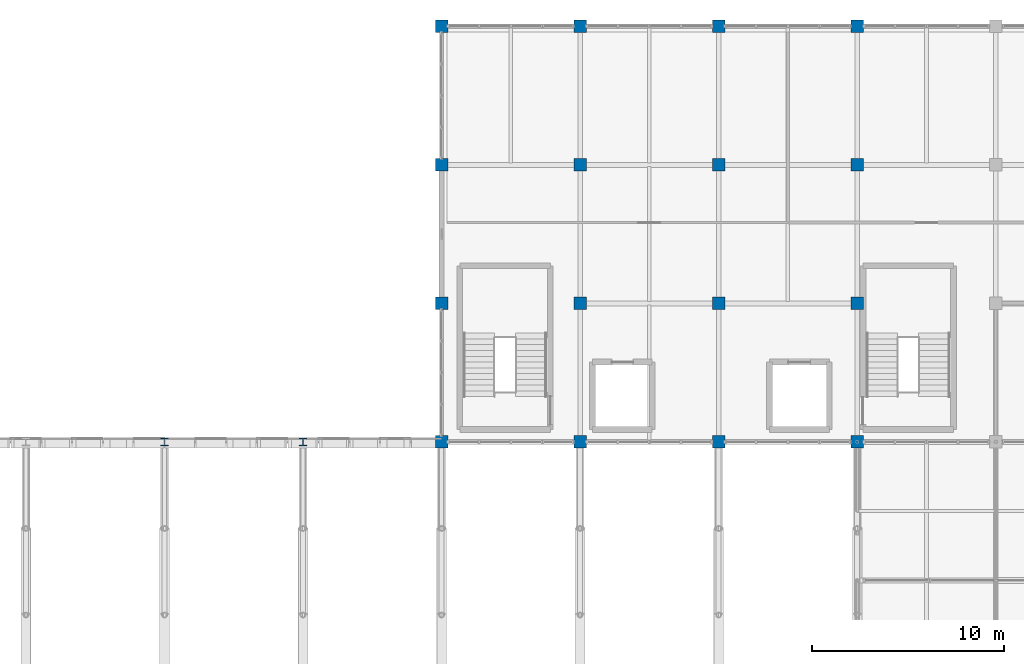
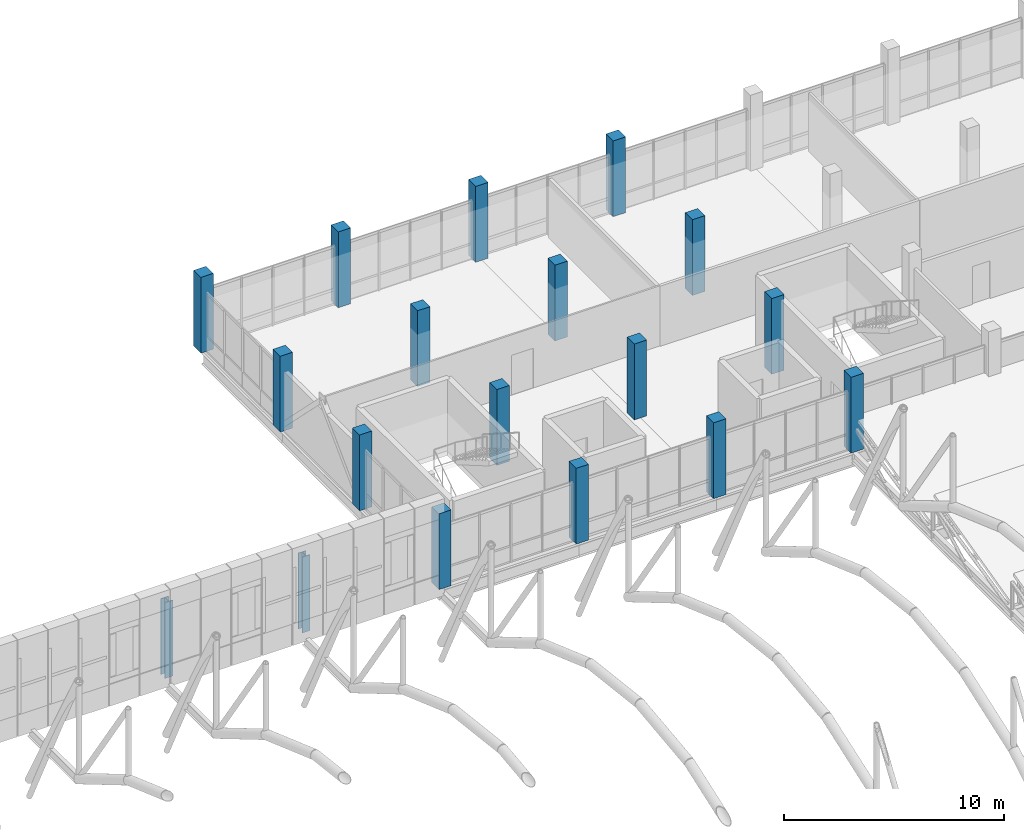
# One storey, part 7 of 144: 18 columns.
"""IFC4 building model written with IfcOpenShell, lengths in metres."""

import ifcopenshell
import ifcopenshell.guid

model = None  # the IFC model being written
_history = None  # IfcOwnerHistory: only IFC2X3 demands one
_inside = {}  # id of a spatial element -> (the spatial element, [elements in it])
_under = {}  # id of a project, library or spatial element -> (it, [spatial elements below it])
_declared = {}  # id of a project -> (the project, [libraries it declares])
_typed = {}  # id of a type object -> (the type object, [elements of that type])
_made_of = {}  # id of a material, layer set ... -> (it, [elements and type objects made of it])


def new_model(schema):
    """Start an empty IFC model of exactly this schema.

    Asked for "IFC4X3", IfcOpenShell would pick the latest addendum, in which some entities
    have other attributes; the version numbers below select the first issue.
    IFC2X3 requires an IfcOwnerHistory on every rooted entity: one is made here for all.
    """
    global model, _history
    if schema == "IFC4X3":
        model = ifcopenshell.file(schema_version=(4, 3, 0, 0))
    else:
        model = ifcopenshell.file(schema=schema)
    _inside.clear()
    _under.clear()
    _declared.clear()
    _typed.clear()
    _made_of.clear()
    _history = None
    if model.schema == "IFC2X3":
        org = make("IfcOrganization", Name="unknown")
        user = make(
            "IfcPersonAndOrganization",
            ThePerson=make("IfcPerson", FamilyName="unknown"),
            TheOrganization=org,
        )
        app = make(
            "IfcApplication",
            ApplicationDeveloper=org,
            Version="unknown",
            ApplicationFullName="unknown",
            ApplicationIdentifier="unknown",
        )
        _history = make(
            "IfcOwnerHistory",
            OwningUser=user,
            OwningApplication=app,
            ChangeAction="ADDED",
            CreationDate=0,
        )
    return model


def make(cls, **values):
    """One entity of the class cls with the attributes given. An attribute that is None is left unset."""
    return model.create_entity(
        cls, **{name: value for name, value in values.items() if value is not None}
    )


def rooted(cls, **values):
    """An entity with a GlobalId (a new one), such as an element, a storey or a relation."""
    return make(cls, GlobalId=ifcopenshell.guid.new(), OwnerHistory=_history, **values)


def si_unit(unit_type, name, prefix=None):
    """IfcSIUnit, for example si_unit("LENGTHUNIT", "METRE", prefix="MILLI")."""
    return make("IfcSIUnit", UnitType=unit_type, Prefix=prefix, Name=name)


def assignment(units):
    """IfcUnitAssignment: the units of a project."""
    return None if units is None else make("IfcUnitAssignment", Units=units)


def point(xyz):
    """IfcCartesianPoint."""
    return None if xyz is None else make("IfcCartesianPoint", Coordinates=xyz)


def direction(xyz):
    """IfcDirection."""
    return None if xyz is None else make("IfcDirection", DirectionRatios=xyz)


def frame(location, z_axis=None, x_axis=None):
    """IfcAxis2Placement3D, a coordinate frame: its origin and axes. An axis left out is left unset."""
    return make(
        "IfcAxis2Placement3D",
        Location=point(location),
        Axis=direction(z_axis),
        RefDirection=direction(x_axis),
    )


def frame_2d(location, x_axis=None):
    """IfcAxis2Placement2D, a coordinate frame in the plane: its origin and x axis."""
    return make(
        "IfcAxis2Placement2D", Location=point(location), RefDirection=direction(x_axis)
    )


def origin():
    """The frame at (0, 0, 0) with its axes left unset."""
    return frame((0.0, 0.0, 0.0))


def origin_2d():
    """The frame at (0, 0) in the plane with its x axis left unset."""
    return frame_2d((0.0, 0.0))


def place(relative_to, where):
    """IfcLocalPlacement: puts the frame where relative to a parent placement (None: the world)."""
    return make(
        "IfcLocalPlacement", PlacementRelTo=relative_to, RelativePlacement=where
    )


def context(
    kind, dimensions, precision=None, world=None, true_north=None, identifier=None
):
    """IfcGeometricRepresentationContext, for example the 3D "Model" context."""
    return make(
        "IfcGeometricRepresentationContext",
        ContextIdentifier=identifier,
        ContextType=kind,
        CoordinateSpaceDimension=dimensions,
        Precision=precision,
        WorldCoordinateSystem=world,
        TrueNorth=true_north,
    )


def subcontext(parent, identifier, kind, view, scale=None):
    """IfcGeometricRepresentationSubContext, for example "Body" below "Model"."""
    return make(
        "IfcGeometricRepresentationSubContext",
        ContextIdentifier=identifier,
        ContextType=kind,
        ParentContext=parent,
        TargetScale=scale,
        TargetView=view,
    )


def project(units=None, contexts=None):
    """IfcProject with its units and contexts."""
    return rooted(
        "IfcProject",
        Name="project",
        RepresentationContexts=contexts,
        UnitsInContext=assignment(units),
    )


def spatial(cls, under=None, at=None, **own):
    """A site, building, storey or space (cls), placed at a placement, below another one or the project."""
    s = rooted(cls, ObjectPlacement=at, **own)
    if under is not None:
        _under.setdefault(under.id(), (under, []))[1].append(s)
    return s


def profile(cls, at=None, kind="AREA", **sizes):
    """A parametric profile (cls). Its sizes go by their IFC names, for example OverallWidth=200.0."""
    return make(cls, ProfileType=kind, Position=at, **sizes)


def rectangle(**sizes):
    """IfcRectangleProfileDef."""
    return profile("IfcRectangleProfileDef", **sizes)


def i_section(**sizes):
    """IfcIShapeProfileDef."""
    return profile("IfcIShapeProfileDef", **sizes)


def extrude(swept, where, along, depth):
    """IfcExtrudedAreaSolid: the profile swept, set in the frame where, extruded along a direction by depth."""
    return make(
        "IfcExtrudedAreaSolid",
        SweptArea=swept,
        Position=where,
        ExtrudedDirection=direction(along),
        Depth=depth,
    )


def shape(context_of_items, identifier, shape_type, items):
    """IfcShapeRepresentation: the items that make up one representation, for example the "Body"."""
    return make(
        "IfcShapeRepresentation",
        ContextOfItems=context_of_items,
        RepresentationIdentifier=identifier,
        RepresentationType=shape_type,
        Items=items,
    )


def material(Name=None, Category=None):
    """IfcMaterial."""
    return make("IfcMaterial", Name=Name, Category=Category)


def material_profile(
    of_material, cross_section, Name=None, Category=None, Priority=None
):
    """IfcMaterialProfile: a cross section and its material."""
    return make(
        "IfcMaterialProfile",
        Name=Name,
        Material=of_material,
        Profile=cross_section,
        Priority=Priority,
        Category=Category,
    )


def profile_set(profiles, Name=None, composite=None):
    """IfcMaterialProfileSet."""
    return make(
        "IfcMaterialProfileSet",
        Name=Name,
        MaterialProfiles=profiles,
        CompositeProfile=composite,
    )


def made_of(thing, what):
    """Note that an element or type object is made of a material, layer set ...; save() writes the relation."""
    if what is not None:
        _made_of.setdefault(what.id(), (what, []))[1].append(thing)
    return thing


def type_object(cls, material=None, **own):
    """A type object (cls), such as IfcWallType, which elements share."""
    return made_of(rooted(cls, **own), material)


def element(
    cls,
    number,
    at=None,
    inside=None,
    cuts=None,
    type_object=None,
    material=None,
    context=None,
    identifier="Body",
    shape_type=None,
    held_by="IfcProductDefinitionShape",
    body=None,
    shapes=None,
    **own,
):
    """One element of the class cls, such as IfcWall. Its Tag is "e" and its number.

    at: its placement. inside: the storey or other place that contains it. cuts: it is an
    opening in that element (IfcRelVoidsElement). A single representation is given by context,
    identifier, shape_type and body (its items); several are given by shapes. held_by: the class
    of the entity that holds the representations. save() writes the other relations.
    """
    e = rooted(cls, Tag="e%d" % number, ObjectPlacement=at, **own)
    if body is not None:
        shapes = [shape(context, identifier, shape_type, body)]
    if shapes is not None:
        e.Representation = make(held_by, Representations=shapes)
    if inside is not None:
        _inside.setdefault(inside.id(), (inside, []))[1].append(e)
    if cuts is not None:
        rooted(
            "IfcRelVoidsElement", RelatingBuildingElement=cuts, RelatedOpeningElement=e
        )
    if type_object is not None:
        _typed.setdefault(type_object.id(), (type_object, []))[1].append(e)
    return made_of(e, material)


def aggregate(whole, parts):
    """IfcRelAggregates: a whole, such as a stair, and the parts it consists of."""
    return rooted("IfcRelAggregates", RelatingObject=whole, RelatedObjects=parts)


def save(model, path):
    """Write the relations noted so far, then the file.

    IfcRelAggregates (storeys below a building ...), IfcRelContainedInSpatialStructure (elements
    in a storey), IfcRelDefinesByType, IfcRelAssociatesMaterial and IfcRelDeclares: one each for
    every whole, place, type object, material and project.
    """
    for whole, parts in _under.values():
        aggregate(whole, parts)
    for where, things in _inside.values():
        rooted(
            "IfcRelContainedInSpatialStructure",
            RelatedElements=things,
            RelatingStructure=where,
        )
    for kind, things in _typed.values():
        rooted("IfcRelDefinesByType", RelatedObjects=things, RelatingType=kind)
    for what, things in _made_of.values():
        rooted("IfcRelAssociatesMaterial", RelatedObjects=things, RelatingMaterial=what)
    for by, libraries in _declared.values():
        rooted("IfcRelDeclares", RelatingContext=by, RelatedDefinitions=libraries)
    model.write(path)


model = new_model("IFC4")

# Units and contexts
model_context = context("Model", 3, precision=1e-05, world=origin(), true_north=direction((0.0, 1.0)))
body_context = subcontext(model_context, "Body", "Model", "MODEL_VIEW")
ifc_project = project(units=[si_unit("LENGTHUNIT", "METRE"), si_unit("AREAUNIT", "SQUARE_METRE"), si_unit("VOLUMEUNIT", "CUBIC_METRE"), si_unit("PLANEANGLEUNIT", "RADIAN"), si_unit("MASSUNIT", "GRAM", prefix="KILO")], contexts=[model_context])

# Site, building, storey
site_placement = place(None, origin())
site = spatial("IfcSite", under=ifc_project, at=site_placement, CompositionType="ELEMENT")
building_placement = place(site_placement, origin())
building = spatial("IfcBuilding", under=site, at=building_placement, Name="Yarey Park Central Fire Station", CompositionType="ELEMENT")
storey_placement = place(building_placement, frame((0.0, 0.0, 10.199951171875)))
storey = spatial("IfcBuildingStorey", under=building, at=storey_placement, Name="L03", CompositionType="ELEMENT", Elevation=10.199951171875)

# Columns
ifc_material_1 = material(Name="Concrete C40/50", Category="concrete")
ifc_material_profile_1 = material_profile(ifc_material_1, rectangle(XDim=0.64990234375, YDim=0.64990234375, at=origin_2d()), Name="RC 650x650")
ifc_profile_set_1 = profile_set([ifc_material_profile_1], Name="Concrete C40/50")
column_type_1 = type_object("IfcColumnType", Name="STR_COL_RC650_EXT", PredefinedType="COLUMN", material=ifc_profile_set_1)
for number, where, z_axis, x_axis, name in (
    (1, (115.199951171875, 93.60009765625, 0.0), (0.0, 0.0, 1.0), (1.0, 0.0, 0.0), "COL_L03_X1152_Y936"),
    (2, (115.199951171875, 100.800048828125, 0.0), (0.0, 0.0, 1.0), (1.0, 0.0, 0.0), "COL_L03_X1152_Y1008"),
    (3, (115.199951171875, 108.0, 0.0), (0.0, 0.0, 1.0), (1.0, 0.0, 0.0), "COL_L03_X1152_Y1080"),
    (4, (115.199951171875, 115.199951171875, 0.0), (0.0, 0.0, 1.0), (1.0, 0.0, 0.0), "COL_L03_X1152_Y1152"),
    (5, (122.39990234375, 93.60009765625, 0.0), (0.0, 0.0, 1.0), (1.0, 0.0, 0.0), "COL_L03_X1224_Y936"),
    (6, (122.39990234375, 115.199951171875, 0.0), (0.0, 0.0, 1.0), (1.0, 0.0, 0.0), "COL_L03_X1224_Y1152"),
    (7, (129.60009765625, 93.60009765625, 0.0), (0.0, 0.0, 1.0), (1.0, 0.0, 0.0), "COL_L03_X1296_Y936"),
    (8, (129.60009765625, 115.199951171875, 0.0), (0.0, 0.0, 1.0), (1.0, 0.0, 0.0), "COL_L03_X1296_Y1152"),
    (9, (136.800048828125, 93.60009765625, 0.0), (0.0, 0.0, 1.0), (1.0, 0.0, 0.0), "COL_L03_X1368_Y936"),
    (10, (136.800048828125, 115.199951171875, 0.0), (0.0, 0.0, 1.0), (1.0, 0.0, 0.0), "COL_L03_X1368_Y1152"),
):
    element("IfcColumn", number, at=place(storey_placement, frame(where, z_axis=z_axis, x_axis=x_axis)), inside=storey, type_object=column_type_1, Name=name, PredefinedType="COLUMN", context=body_context, shape_type="SweptSolid", body=[
        extrude(rectangle(XDim=0.64990234375, YDim=0.64990234375, at=origin_2d()), origin(), (0.0, 0.0, 1.0), 4.199951171875),
    ])
ifc_material_profile_2 = material_profile(ifc_material_1, rectangle(XDim=0.64990234375, YDim=0.64990234375, at=origin_2d()), Name="RC 650x650")
ifc_profile_set_2 = profile_set([ifc_material_profile_2], Name="Concrete C40/50")
column_type_2 = type_object("IfcColumnType", Name="STR_COL_RC650_INT", PredefinedType="COLUMN", material=ifc_profile_set_2)
for number, where, z_axis, x_axis, name in (
    (11, (122.39990234375, 100.800048828125, 0.0), (0.0, 0.0, 1.0), (1.0, 0.0, 0.0), "COL_L03_X1224_Y1008"),
    (12, (122.39990234375, 108.0, 0.0), (0.0, 0.0, 1.0), (1.0, 0.0, 0.0), "COL_L03_X1224_Y1080"),
    (13, (129.60009765625, 100.800048828125, 0.0), (0.0, 0.0, 1.0), (1.0, 0.0, 0.0), "COL_L03_X1296_Y1008"),
    (14, (129.60009765625, 108.0, 0.0), (0.0, 0.0, 1.0), (1.0, 0.0, 0.0), "COL_L03_X1296_Y1080"),
    (15, (136.800048828125, 100.800048828125, 0.0), (0.0, 0.0, 1.0), (1.0, 0.0, 0.0), "COL_L03_X1368_Y1008"),
    (16, (136.800048828125, 108.0, 0.0), (0.0, 0.0, 1.0), (1.0, 0.0, 0.0), "COL_L03_X1368_Y1080"),
):
    element("IfcColumn", number, at=place(storey_placement, frame(where, z_axis=z_axis, x_axis=x_axis)), inside=storey, type_object=column_type_2, Name=name, PredefinedType="COLUMN", context=body_context, shape_type="SweptSolid", body=[
        extrude(rectangle(XDim=0.64990234375, YDim=0.64990234375, at=origin_2d()), origin(), (0.0, 0.0, 1.0), 4.199951171875),
    ])
ifc_material_2 = material(Name="Steel ASTM A992 Gr. 50", Category="steel")
ifc_material_profile_3 = material_profile(ifc_material_2, i_section(OverallWidth=0.404052734375, OverallDepth=0.406982421875, WebThickness=0.027099609375, FlangeThickness=0.043701171875, at=origin_2d()), Name="W360x347")
ifc_profile_set_3 = profile_set([ifc_material_profile_3], Name="Steel ASTM A992 Gr. 50")
column_type_3 = type_object("IfcColumnType", Name="STR_COL_W360_EXT", PredefinedType="COLUMN", material=ifc_profile_set_3)
for number, where, z_axis, x_axis, name in (
    (17, (100.800048828125, 93.60009765625, 0.0), (0.0, 0.0, 1.0), (1.0, 0.0, 0.0), "V2_SCR_POST_N_L03_100"),
    (18, (108.0, 93.60009765625, 0.0), (0.0, 0.0, 1.0), (1.0, 0.0, 0.0), "V2_SCR_POST_N_L03_108"),
):
    element("IfcColumn", number, at=place(storey_placement, frame(where, z_axis=z_axis, x_axis=x_axis)), inside=storey, type_object=column_type_3, Name=name, PredefinedType="COLUMN", context=body_context, shape_type="SweptSolid", body=[
        extrude(i_section(OverallWidth=0.404052734375, OverallDepth=0.406982421875, WebThickness=0.027099609375, FlangeThickness=0.043701171875, at=origin_2d()), origin(), (0.0, 0.0, 1.0), 4.199951171875),
    ])

save(model, "model.ifc")
